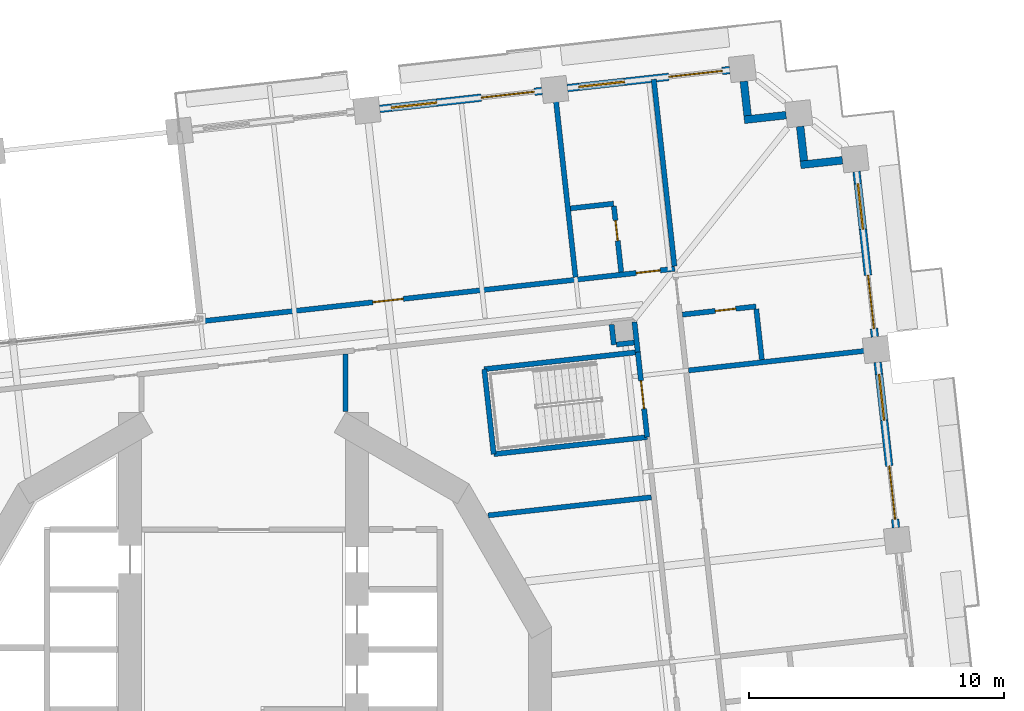
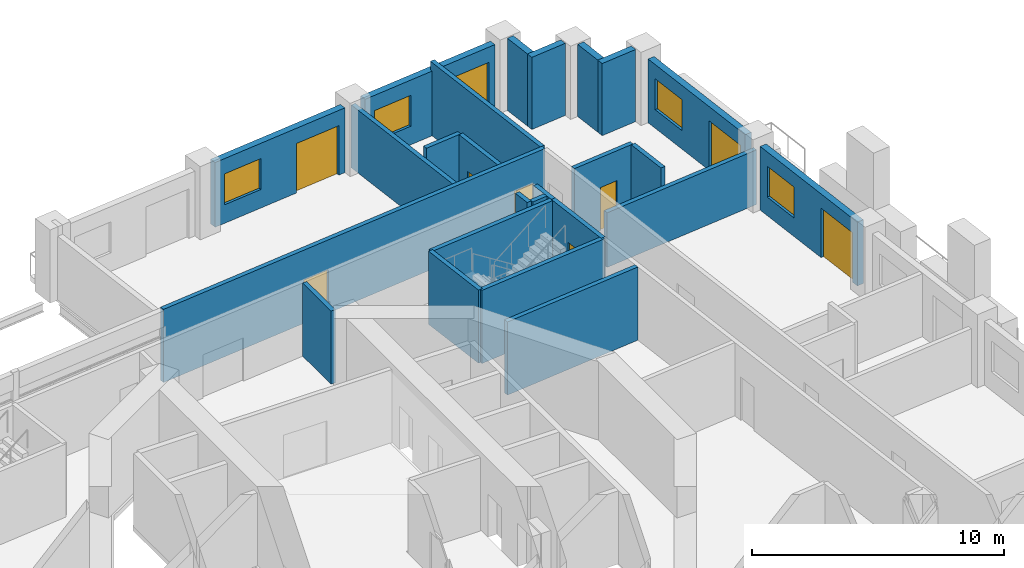
# One storey, part 12 of 21: 25 walls, 9 doors, 4 windows, 13 openings.
"""IFC4 building model written with IfcOpenShell, lengths in metres."""

import ifcopenshell
import ifcopenshell.guid

model = None  # the IFC model being written
_history = None  # IfcOwnerHistory: only IFC2X3 demands one
_inside = {}  # id of a spatial element -> (the spatial element, [elements in it])
_under = {}  # id of a project, library or spatial element -> (it, [spatial elements below it])
_declared = {}  # id of a project -> (the project, [libraries it declares])
_typed = {}  # id of a type object -> (the type object, [elements of that type])
_made_of = {}  # id of a material, layer set ... -> (it, [elements and type objects made of it])


def new_model(schema):
    """Start an empty IFC model of exactly this schema.

    Asked for "IFC4X3", IfcOpenShell would pick the latest addendum, in which some entities
    have other attributes; the version numbers below select the first issue.
    IFC2X3 requires an IfcOwnerHistory on every rooted entity: one is made here for all.
    """
    global model, _history
    if schema == "IFC4X3":
        model = ifcopenshell.file(schema_version=(4, 3, 0, 0))
    else:
        model = ifcopenshell.file(schema=schema)
    _inside.clear()
    _under.clear()
    _declared.clear()
    _typed.clear()
    _made_of.clear()
    _history = None
    if model.schema == "IFC2X3":
        org = make("IfcOrganization", Name="unknown")
        user = make(
            "IfcPersonAndOrganization",
            ThePerson=make("IfcPerson", FamilyName="unknown"),
            TheOrganization=org,
        )
        app = make(
            "IfcApplication",
            ApplicationDeveloper=org,
            Version="unknown",
            ApplicationFullName="unknown",
            ApplicationIdentifier="unknown",
        )
        _history = make(
            "IfcOwnerHistory",
            OwningUser=user,
            OwningApplication=app,
            ChangeAction="ADDED",
            CreationDate=0,
        )
    return model


def make(cls, **values):
    """One entity of the class cls with the attributes given. An attribute that is None is left unset."""
    return model.create_entity(
        cls, **{name: value for name, value in values.items() if value is not None}
    )


def rooted(cls, **values):
    """An entity with a GlobalId (a new one), such as an element, a storey or a relation."""
    return make(cls, GlobalId=ifcopenshell.guid.new(), OwnerHistory=_history, **values)


def si_unit(unit_type, name, prefix=None):
    """IfcSIUnit, for example si_unit("LENGTHUNIT", "METRE", prefix="MILLI")."""
    return make("IfcSIUnit", UnitType=unit_type, Prefix=prefix, Name=name)


def assignment(units):
    """IfcUnitAssignment: the units of a project."""
    return None if units is None else make("IfcUnitAssignment", Units=units)


def point(xyz):
    """IfcCartesianPoint."""
    return None if xyz is None else make("IfcCartesianPoint", Coordinates=xyz)


def direction(xyz):
    """IfcDirection."""
    return None if xyz is None else make("IfcDirection", DirectionRatios=xyz)


def frame(location, z_axis=None, x_axis=None):
    """IfcAxis2Placement3D, a coordinate frame: its origin and axes. An axis left out is left unset."""
    return make(
        "IfcAxis2Placement3D",
        Location=point(location),
        Axis=direction(z_axis),
        RefDirection=direction(x_axis),
    )


def frame_2d(location, x_axis=None):
    """IfcAxis2Placement2D, a coordinate frame in the plane: its origin and x axis."""
    return make(
        "IfcAxis2Placement2D", Location=point(location), RefDirection=direction(x_axis)
    )


def origin():
    """The frame at (0, 0, 0) with its axes left unset."""
    return frame((0.0, 0.0, 0.0))


def place(relative_to, where):
    """IfcLocalPlacement: puts the frame where relative to a parent placement (None: the world)."""
    return make(
        "IfcLocalPlacement", PlacementRelTo=relative_to, RelativePlacement=where
    )


def context(
    kind, dimensions, precision=None, world=None, true_north=None, identifier=None
):
    """IfcGeometricRepresentationContext, for example the 3D "Model" context."""
    return make(
        "IfcGeometricRepresentationContext",
        ContextIdentifier=identifier,
        ContextType=kind,
        CoordinateSpaceDimension=dimensions,
        Precision=precision,
        WorldCoordinateSystem=world,
        TrueNorth=true_north,
    )


def subcontext(parent, identifier, kind, view, scale=None):
    """IfcGeometricRepresentationSubContext, for example "Body" below "Model"."""
    return make(
        "IfcGeometricRepresentationSubContext",
        ContextIdentifier=identifier,
        ContextType=kind,
        ParentContext=parent,
        TargetScale=scale,
        TargetView=view,
    )


def project(units=None, contexts=None):
    """IfcProject with its units and contexts."""
    return rooted(
        "IfcProject",
        Name="project",
        RepresentationContexts=contexts,
        UnitsInContext=assignment(units),
    )


def spatial(cls, under=None, at=None, **own):
    """A site, building, storey or space (cls), placed at a placement, below another one or the project."""
    s = rooted(cls, ObjectPlacement=at, **own)
    if under is not None:
        _under.setdefault(under.id(), (under, []))[1].append(s)
    return s


def profile(cls, at=None, kind="AREA", **sizes):
    """A parametric profile (cls). Its sizes go by their IFC names, for example OverallWidth=200.0."""
    return make(cls, ProfileType=kind, Position=at, **sizes)


def rectangle(**sizes):
    """IfcRectangleProfileDef."""
    return profile("IfcRectangleProfileDef", **sizes)


def extrude(swept, where, along, depth):
    """IfcExtrudedAreaSolid: the profile swept, set in the frame where, extruded along a direction by depth."""
    return make(
        "IfcExtrudedAreaSolid",
        SweptArea=swept,
        Position=where,
        ExtrudedDirection=direction(along),
        Depth=depth,
    )


def shape(context_of_items, identifier, shape_type, items):
    """IfcShapeRepresentation: the items that make up one representation, for example the "Body"."""
    return make(
        "IfcShapeRepresentation",
        ContextOfItems=context_of_items,
        RepresentationIdentifier=identifier,
        RepresentationType=shape_type,
        Items=items,
    )


def material(Name=None, Category=None):
    """IfcMaterial."""
    return make("IfcMaterial", Name=Name, Category=Category)


def layer(
    of_material, thickness, ventilated=None, Name=None, Category=None, Priority=None
):
    """IfcMaterialLayer: one layer of a wall or slab, of a material (None: an air gap)."""
    return make(
        "IfcMaterialLayer",
        Material=of_material,
        LayerThickness=thickness,
        IsVentilated=ventilated,
        Name=Name,
        Category=Category,
        Priority=Priority,
    )


def layer_set(layers, Name=None):
    """IfcMaterialLayerSet."""
    return make("IfcMaterialLayerSet", MaterialLayers=layers, LayerSetName=Name)


def made_of(thing, what):
    """Note that an element or type object is made of a material, layer set ...; save() writes the relation."""
    if what is not None:
        _made_of.setdefault(what.id(), (what, []))[1].append(thing)
    return thing


def type_object(cls, material=None, **own):
    """A type object (cls), such as IfcWallType, which elements share."""
    return made_of(rooted(cls, **own), material)


def element(
    cls,
    number,
    at=None,
    inside=None,
    cuts=None,
    type_object=None,
    material=None,
    context=None,
    identifier="Body",
    shape_type=None,
    held_by="IfcProductDefinitionShape",
    body=None,
    shapes=None,
    **own,
):
    """One element of the class cls, such as IfcWall. Its Tag is "e" and its number.

    at: its placement. inside: the storey or other place that contains it. cuts: it is an
    opening in that element (IfcRelVoidsElement). A single representation is given by context,
    identifier, shape_type and body (its items); several are given by shapes. held_by: the class
    of the entity that holds the representations. save() writes the other relations.
    """
    e = rooted(cls, Tag="e%d" % number, ObjectPlacement=at, **own)
    if body is not None:
        shapes = [shape(context, identifier, shape_type, body)]
    if shapes is not None:
        e.Representation = make(held_by, Representations=shapes)
    if inside is not None:
        _inside.setdefault(inside.id(), (inside, []))[1].append(e)
    if cuts is not None:
        rooted(
            "IfcRelVoidsElement", RelatingBuildingElement=cuts, RelatedOpeningElement=e
        )
    if type_object is not None:
        _typed.setdefault(type_object.id(), (type_object, []))[1].append(e)
    return made_of(e, material)


def fill(opening, filler):
    """IfcRelFillsElement: the door or window that sits in an opening."""
    return rooted(
        "IfcRelFillsElement",
        RelatingOpeningElement=opening,
        RelatedBuildingElement=filler,
    )


def aggregate(whole, parts):
    """IfcRelAggregates: a whole, such as a stair, and the parts it consists of."""
    return rooted("IfcRelAggregates", RelatingObject=whole, RelatedObjects=parts)


def save(model, path):
    """Write the relations noted so far, then the file.

    IfcRelAggregates (storeys below a building ...), IfcRelContainedInSpatialStructure (elements
    in a storey), IfcRelDefinesByType, IfcRelAssociatesMaterial and IfcRelDeclares: one each for
    every whole, place, type object, material and project.
    """
    for whole, parts in _under.values():
        aggregate(whole, parts)
    for where, things in _inside.values():
        rooted(
            "IfcRelContainedInSpatialStructure",
            RelatedElements=things,
            RelatingStructure=where,
        )
    for kind, things in _typed.values():
        rooted("IfcRelDefinesByType", RelatedObjects=things, RelatingType=kind)
    for what, things in _made_of.values():
        rooted("IfcRelAssociatesMaterial", RelatedObjects=things, RelatingMaterial=what)
    for by, libraries in _declared.values():
        rooted("IfcRelDeclares", RelatingContext=by, RelatedDefinitions=libraries)
    model.write(path)


model = new_model("IFC4")

# Units and contexts
model_context = context("Model", 3, precision=1e-05, world=origin(), true_north=direction((0.0, 1.0)))
body_context = subcontext(model_context, "Body", "Model", "MODEL_VIEW")
ifc_project = project(units=[si_unit("LENGTHUNIT", "METRE"), si_unit("AREAUNIT", "SQUARE_METRE"), si_unit("VOLUMEUNIT", "CUBIC_METRE"), si_unit("PLANEANGLEUNIT", "RADIAN"), si_unit("MASSUNIT", "GRAM", prefix="KILO")], contexts=[model_context])

# Site, building, storey
site_placement = place(None, origin())
site = spatial("IfcSite", under=ifc_project, at=site_placement, CompositionType="ELEMENT")
building_placement = place(site_placement, origin())
building = spatial("IfcBuilding", under=site, at=building_placement, Name="Cantera Rosa Tower", CompositionType="ELEMENT")
storey_placement = place(building_placement, frame((0.0, 0.0, 57.699951171875)))
storey = spatial("IfcBuildingStorey", under=building, at=storey_placement, Name="L11", CompositionType="ELEMENT", Elevation=57.699951171875)

# Walls
ifc_material_1 = material(Name="Gypsum board partition")
ifc_layer_1 = layer(ifc_material_1, 0.199951171875)
ifc_layer_set_1 = layer_set([ifc_layer_1], Name="CORRIDOR WALL 200 H3550")
wall_type_1 = type_object("IfcWallType", Name="CORRIDOR WALL 200 H3550", PredefinedType="PARTITIONING", material=ifc_layer_set_1)
wall_1_placement = place(storey_placement, frame((4.0, 11.667236328125, 0.0), z_axis=(0.0, 0.0, 1.0), x_axis=(0.0, 1.0, 0.0)))
element("IfcWall", 1, at=wall_1_placement, inside=storey, type_object=wall_type_1, Name="CORRIDOR WALL L11-060", PredefinedType="PARTITIONING", context=body_context, shape_type="SweptSolid", body=[
    extrude(rectangle(XDim=2.259765625, YDim=0.199951171875, at=frame_2d((1.1298828125, 0.0))), origin(), (0.0, 0.0, 1.0), 3.550048828125),
])
wall_2_placement = place(storey_placement, frame((15.44970703125, 14.001708984375, 0.0), z_axis=(0.0, 0.0, 1.0), x_axis=(-0.110341316069, 0.993893753863, 0.0)))
element("IfcWall", 2, at=wall_2_placement, inside=storey, type_object=wall_type_1, Name="CORRIDOR WALL L11-088", PredefinedType="PARTITIONING", context=body_context, shape_type="SweptSolid", body=[
    extrude(rectangle(XDim=1.188232421875, YDim=0.199951171875, at=frame_2d((0.59423828125, 0.0))), origin(), (0.0, 0.0, 1.0), 3.550048828125),
])

# Wall, openings, doors
wall_3_placement = place(storey_placement, frame((16.898193359375, 17.26953125, 0.0), z_axis=(0.0, 0.0, 1.0), x_axis=(-0.993896854699, -0.110313381866, 0.0)))
wall_3 = element("IfcWall", 3, at=wall_3_placement, inside=storey, type_object=wall_type_1, Name="CORRIDOR WALL L11-092", PredefinedType="PARTITIONING", context=body_context, shape_type="SweptSolid", body=[
    extrude(rectangle(XDim=18.8251953125, YDim=0.199951171875, at=frame_2d((9.41259765625, 0.0))), origin(), (0.0, 0.0, 1.0), 3.550048828125),
])
opening_1_placement = place(wall_3_placement, frame((10.699951171875, 0.0, 0.0)))
opening_1 = element("IfcOpeningElement", 4, at=opening_1_placement, cuts=wall_3, Name="Opening L11-025", PredefinedType="OPENING", context=body_context, shape_type="SweptSolid", body=[
    extrude(rectangle(XDim=1.199951171875, YDim=2.10009765625, at=frame_2d((0.60009765625, 1.050048828125))), frame((0.0, 0.10986328125, 0.0), z_axis=(0.0, -1.0, 0.0), x_axis=(1.0, 0.0, 0.0)), (0.0, 0.0, 1.0), 0.219970703125),
])
opening_2_placement = place(wall_3_placement, frame((0.574951171875, 0.0, 0.0)))
opening_2 = element("IfcOpeningElement", 5, at=opening_2_placement, cuts=wall_3, Name="Opening L11-026", PredefinedType="OPENING", context=body_context, shape_type="SweptSolid", body=[
    extrude(rectangle(XDim=0.949951171875, YDim=2.10009765625, at=frame_2d((0.47509765625, 1.050048828125))), frame((0.0, 0.10986328125, 0.0), z_axis=(0.0, -1.0, 0.0), x_axis=(1.0, 0.0, 0.0)), (0.0, 0.0, 1.0), 0.219970703125),
])
ifc_material_2 = material(Name="Timber door leaf", Category="wood")
door_type_1 = type_object("IfcDoorType", Name="ROOM DOOR 1200x2100", OperationType="NOTDEFINED", PredefinedType="DOOR", material=ifc_material_2)
door_1_placement = place(opening_1_placement, origin())
door_1 = element("IfcDoor", 6, at=door_1_placement, inside=storey, type_object=door_type_1, Name="DOOR L11-025", OperationType="NOTDEFINED", OverallHeight=2.10009765625, OverallWidth=1.199951171875, PredefinedType="DOOR", context=body_context, shape_type="SweptSolid", body=[
    extrude(rectangle(XDim=1.199951171875, YDim=2.10009765625, at=frame_2d((0.60009765625, 1.050048828125))), frame((0.0, 0.02490234375, 0.0), z_axis=(0.0, -1.0, 0.0), x_axis=(1.0, 0.0, 0.0)), (0.0, 0.0, 1.0), 0.050048828125),
])
fill(opening_1, door_1)
ifc_material_3 = material(Name="Timber door leaf", Category="wood")
door_type_2 = type_object("IfcDoorType", Name="ROOM DOOR 950x2100", OperationType="NOTDEFINED", PredefinedType="DOOR", material=ifc_material_3)
door_2_placement = place(opening_2_placement, origin())
door_2 = element("IfcDoor", 7, at=door_2_placement, inside=storey, type_object=door_type_2, Name="DOOR L11-026", OperationType="NOTDEFINED", OverallHeight=2.10009765625, OverallWidth=0.949951171875, PredefinedType="DOOR", context=body_context, shape_type="SweptSolid", body=[
    extrude(rectangle(XDim=0.949951171875, YDim=2.10009765625, at=frame_2d((0.47509765625, 1.050048828125))), frame((0.0, 0.02490234375, 0.0), z_axis=(0.0, -1.0, 0.0), x_axis=(1.0, 0.0, 0.0)), (0.0, 0.0, 1.0), 0.050048828125),
])
fill(opening_2, door_2)

# Walls
ifc_material_4 = material(Name="Hollow clay masonry with cantera stone cladding", Category="masonry")
ifc_layer_2 = layer(ifc_material_4, 0.300048828125)
ifc_layer_set_2 = layer_set([ifc_layer_2], Name="EW-LOGGIA 300")
wall_type_2 = type_object("IfcWallType", Name="EW-LOGGIA 300", PredefinedType="SOLIDWALL", material=ifc_layer_set_2)
wall_4_placement = place(storey_placement, frame((23.46923828125, 21.520263671875, 0.0), z_axis=(0.0, 0.0, 1.0), x_axis=(-0.993905369514, -0.110236638423, 0.0)))
element("IfcWall", 8, at=wall_4_placement, inside=storey, type_object=wall_type_2, Name="EN-L11-W06a", PredefinedType="SOLIDWALL", context=body_context, shape_type="SweptSolid", body=[
    extrude(rectangle(XDim=1.64990234375, YDim=0.300048828125, at=frame_2d((0.824951171875, 0.0))), origin(), (0.0, 0.0, 1.0), 3.5),
])
wall_5_placement = place(storey_placement, frame((21.9619140625, 21.50390625, 0.0), z_axis=(0.0, 0.0, 1.0), x_axis=(-0.110312435488, 0.993896959738, 0.0)))
element("IfcWall", 9, at=wall_5_placement, inside=storey, type_object=wall_type_2, Name="EN-L11-W06b", PredefinedType="SOLIDWALL", context=body_context, shape_type="SweptSolid", body=[
    extrude(rectangle(XDim=1.35009765625, YDim=0.300048828125, at=frame_2d((0.675048828125, 0.0))), origin(), (0.0, 0.0, 1.0), 3.5),
])
wall_6_placement = place(storey_placement, frame((21.2607421875, 23.287353515625, 0.0), z_axis=(0.0, 0.0, 1.0), x_axis=(-0.993905369514, -0.110236638423, 0.0)))
element("IfcWall", 10, at=wall_6_placement, inside=storey, type_object=wall_type_2, Name="EN-L11-W07a", PredefinedType="SOLIDWALL", context=body_context, shape_type="SweptSolid", body=[
    extrude(rectangle(XDim=1.64990234375, YDim=0.300048828125, at=frame_2d((0.824951171875, 0.0))), origin(), (0.0, 0.0, 1.0), 3.5),
])
wall_7_placement = place(storey_placement, frame((19.75341796875, 23.27099609375, 0.0), z_axis=(0.0, 0.0, 1.0), x_axis=(-0.110312435488, 0.993896959738, 0.0)))
element("IfcWall", 11, at=wall_7_placement, inside=storey, type_object=wall_type_2, Name="EN-L11-W07b", PredefinedType="SOLIDWALL", context=body_context, shape_type="SweptSolid", body=[
    extrude(rectangle(XDim=1.35009765625, YDim=0.300048828125, at=frame_2d((0.675048828125, 0.0))), origin(), (0.0, 0.0, 1.0), 3.5),
])

# Wall, openings, window, door
ifc_material_5 = material(Name="Hollow clay masonry with cantera stone cladding", Category="masonry")
ifc_layer_3 = layer(ifc_material_5, 0.300048828125)
ifc_layer_set_3 = layer_set([ifc_layer_3], Name="EW-LOGGIA 300 H3090")
wall_type_3 = type_object("IfcWallType", Name="EW-LOGGIA 300 H3090", PredefinedType="SOLIDWALL", material=ifc_layer_set_3)
wall_8_placement = place(storey_placement, frame((25.570068359375, 7.124267578125, 0.0), z_axis=(0.0, 0.0, 1.0), x_axis=(-0.110312341265, 0.993896970196, 0.0)))
wall_8 = element("IfcWall", 12, at=wall_8_placement, inside=storey, type_object=wall_type_3, Name="EN-L11-W04", PredefinedType="SOLIDWALL", context=body_context, shape_type="SweptSolid", body=[
    extrude(rectangle(XDim=6.52001953125, YDim=0.300048828125, at=frame_2d((3.260009765625, 0.0))), origin(), (0.0, 0.0, 1.0), 3.090087890625),
])
opening_3_placement = place(wall_8_placement, frame((0.330078125, 0.0, 0.0)))
opening_3 = element("IfcOpeningElement", 13, at=opening_3_placement, cuts=wall_8, Name="Opening L11-TD07", PredefinedType="OPENING", context=body_context, shape_type="SweptSolid", body=[
    extrude(rectangle(XDim=2.10009765625, YDim=2.39990234375, at=frame_2d((1.050048828125, 1.199951171875))), frame((0.0, 0.159912109375, 0.0), z_axis=(0.0, -1.0, 0.0), x_axis=(1.0, 0.0, 0.0)), (0.0, 0.0, 1.0), 0.320068359375),
])
opening_4_placement = place(wall_8_placement, frame((4.239990234375, 0.0, 0.89990234375)))
opening_4 = element("IfcOpeningElement", 14, at=opening_4_placement, cuts=wall_8, Name="Opening L11-W08", PredefinedType="OPENING", context=body_context, shape_type="SweptSolid", body=[
    extrude(rectangle(XDim=1.800048828125, YDim=1.5, at=frame_2d((0.89990234375, 0.75))), frame((0.0, 0.159912109375, 0.0), z_axis=(0.0, -1.0, 0.0), x_axis=(1.0, 0.0, 0.0)), (0.0, 0.0, 1.0), 0.320068359375),
])
ifc_material_6 = material(Name="Aluminium frame with clear glass", Category="aluminium")
window_type = type_object("IfcWindowType", Name="Hotel room window 1800x1500", PartitioningType="DOUBLE_PANEL_VERTICAL", PredefinedType="WINDOW", material=ifc_material_6)
window_1_placement = place(opening_4_placement, origin())
window_1 = element("IfcWindow", 15, at=window_1_placement, inside=storey, type_object=window_type, Name="WINDOW L11-W08", OverallHeight=1.5, OverallWidth=1.800048828125, PartitioningType="SINGLE_PANEL", PredefinedType="WINDOW", context=body_context, shape_type="SweptSolid", body=[
    extrude(rectangle(XDim=1.800048828125, YDim=1.5, at=frame_2d((0.89990234375, 0.75))), frame((0.0, 0.030029296875, 0.0), z_axis=(0.0, -1.0, 0.0), x_axis=(1.0, 0.0, 0.0)), (0.0, 0.0, 1.0), 0.06005859375),
])
fill(opening_4, window_1)
ifc_material_7 = material(Name="Aluminium frame with clear glass", Category="aluminium")
door_type_3 = type_object("IfcDoorType", Name="TD-H 2100x2400", OperationType="NOTDEFINED", PredefinedType="DOOR", material=ifc_material_7)
door_3_placement = place(opening_3_placement, origin())
door_3 = element("IfcDoor", 16, at=door_3_placement, inside=storey, type_object=door_type_3, Name="LOGGIA DOOR L11-TD07", OperationType="SLIDING_TO_LEFT", OverallHeight=2.39990234375, OverallWidth=2.10009765625, PredefinedType="DOOR", context=body_context, shape_type="SweptSolid", body=[
    extrude(rectangle(XDim=2.10009765625, YDim=2.39990234375, at=frame_2d((1.050048828125, 1.199951171875))), frame((0.0, 0.02490234375, 0.0), z_axis=(0.0, -1.0, 0.0), x_axis=(1.0, 0.0, 0.0)), (0.0, 0.0, 1.0), 0.050048828125),
])
fill(opening_3, door_3)

wall_9_placement = place(storey_placement, frame((24.74072265625, 14.598388671875, 0.0), z_axis=(0.0, 0.0, 1.0), x_axis=(-0.110312341265, 0.993896970196, 0.0)))
wall_9 = element("IfcWall", 17, at=wall_9_placement, inside=storey, type_object=wall_type_3, Name="EN-L11-W05", PredefinedType="SOLIDWALL", context=body_context, shape_type="SweptSolid", body=[
    extrude(rectangle(XDim=6.52001953125, YDim=0.300048828125, at=frame_2d((3.260009765625, 0.0))), origin(), (0.0, 0.0, 1.0), 3.090087890625),
])
opening_5_placement = place(wall_9_placement, frame((0.330078125, 0.0, 0.0)))
opening_5 = element("IfcOpeningElement", 18, at=opening_5_placement, cuts=wall_9, Name="Opening L11-TD09", PredefinedType="OPENING", context=body_context, shape_type="SweptSolid", body=[
    extrude(rectangle(XDim=2.10009765625, YDim=2.39990234375, at=frame_2d((1.050048828125, 1.199951171875))), frame((0.0, 0.159912109375, 0.0), z_axis=(0.0, -1.0, 0.0), x_axis=(1.0, 0.0, 0.0)), (0.0, 0.0, 1.0), 0.320068359375),
])
opening_6_placement = place(wall_9_placement, frame((4.239990234375, 0.0, 0.89990234375)))
opening_6 = element("IfcOpeningElement", 19, at=opening_6_placement, cuts=wall_9, Name="Opening L11-W10", PredefinedType="OPENING", context=body_context, shape_type="SweptSolid", body=[
    extrude(rectangle(XDim=1.800048828125, YDim=1.5, at=frame_2d((0.89990234375, 0.75))), frame((0.0, 0.159912109375, 0.0), z_axis=(0.0, -1.0, 0.0), x_axis=(1.0, 0.0, 0.0)), (0.0, 0.0, 1.0), 0.320068359375),
])
window_2_placement = place(opening_6_placement, origin())
window_2 = element("IfcWindow", 20, at=window_2_placement, inside=storey, type_object=window_type, Name="WINDOW L11-W10", OverallHeight=1.5, OverallWidth=1.800048828125, PartitioningType="SINGLE_PANEL", PredefinedType="WINDOW", context=body_context, shape_type="SweptSolid", body=[
    extrude(rectangle(XDim=1.800048828125, YDim=1.5, at=frame_2d((0.89990234375, 0.75))), frame((0.0, 0.030029296875, 0.0), z_axis=(0.0, -1.0, 0.0), x_axis=(1.0, 0.0, 0.0)), (0.0, 0.0, 1.0), 0.06005859375),
])
fill(opening_6, window_2)
door_4_placement = place(opening_5_placement, origin())
door_4 = element("IfcDoor", 21, at=door_4_placement, inside=storey, type_object=door_type_3, Name="LOGGIA DOOR L11-TD09", OperationType="SLIDING_TO_LEFT", OverallHeight=2.39990234375, OverallWidth=2.10009765625, PredefinedType="DOOR", context=body_context, shape_type="SweptSolid", body=[
    extrude(rectangle(XDim=2.10009765625, YDim=2.39990234375, at=frame_2d((1.050048828125, 1.199951171875))), frame((0.0, 0.02490234375, 0.0), z_axis=(0.0, -1.0, 0.0), x_axis=(1.0, 0.0, 0.0)), (0.0, 0.0, 1.0), 0.050048828125),
])
fill(opening_5, door_4)

ifc_material_8 = material(Name="Hollow clay masonry with cantera stone cladding", Category="masonry")
ifc_layer_4 = layer(ifc_material_8, 0.300048828125)
ifc_layer_set_4 = layer_set([ifc_layer_4], Name="EW-LOGGIA 300 H3140")
wall_type_4 = type_object("IfcWallType", Name="EW-LOGGIA 300 H3140", PredefinedType="SOLIDWALL", material=ifc_layer_set_4)
wall_10_placement = place(storey_placement, frame((19.052490234375, 25.0546875, 0.0), z_axis=(0.0, 0.0, 1.0), x_axis=(-0.993896288542, -0.110318482689, 0.0)))
wall_10 = element("IfcWall", 22, at=wall_10_placement, inside=storey, type_object=wall_type_4, Name="EN-L11-W08", PredefinedType="SOLIDWALL", context=body_context, shape_type="SweptSolid", body=[
    extrude(rectangle(XDim=6.400146484375, YDim=0.300048828125, at=frame_2d((3.2001953125, 0.0))), origin(), (0.0, 0.0, 1.0), 3.14013671875),
])
opening_7_placement = place(wall_10_placement, frame((0.300048828125, 0.0, 0.0)))
opening_7 = element("IfcOpeningElement", 23, at=opening_7_placement, cuts=wall_10, Name="Opening L11-TD11", PredefinedType="OPENING", context=body_context, shape_type="SweptSolid", body=[
    extrude(rectangle(XDim=2.10009765625, YDim=2.39990234375, at=frame_2d((1.050048828125, 1.199951171875))), frame((0.0, 0.159912109375, 0.0), z_axis=(0.0, -1.0, 0.0), x_axis=(1.0, 0.0, 0.0)), (0.0, 0.0, 1.0), 0.320068359375),
])
opening_8_placement = place(wall_10_placement, frame((4.14990234375, 0.0, 0.89990234375)))
opening_8 = element("IfcOpeningElement", 24, at=opening_8_placement, cuts=wall_10, Name="Opening L11-W12", PredefinedType="OPENING", context=body_context, shape_type="SweptSolid", body=[
    extrude(rectangle(XDim=1.800048828125, YDim=1.5, at=frame_2d((0.89990234375, 0.75))), frame((0.0, 0.159912109375, 0.0), z_axis=(0.0, -1.0, 0.0), x_axis=(1.0, 0.0, 0.0)), (0.0, 0.0, 1.0), 0.320068359375),
])
window_3_placement = place(opening_8_placement, origin())
window_3 = element("IfcWindow", 25, at=window_3_placement, inside=storey, type_object=window_type, Name="WINDOW L11-W12", OverallHeight=1.5, OverallWidth=1.800048828125, PartitioningType="SINGLE_PANEL", PredefinedType="WINDOW", context=body_context, shape_type="SweptSolid", body=[
    extrude(rectangle(XDim=1.800048828125, YDim=1.5, at=frame_2d((0.89990234375, 0.75))), frame((0.0, 0.030029296875, 0.0), z_axis=(0.0, -1.0, 0.0), x_axis=(1.0, 0.0, 0.0)), (0.0, 0.0, 1.0), 0.06005859375),
])
fill(opening_8, window_3)
door_5_placement = place(opening_7_placement, origin())
door_5 = element("IfcDoor", 26, at=door_5_placement, inside=storey, type_object=door_type_3, Name="LOGGIA DOOR L11-TD11", OperationType="SLIDING_TO_LEFT", OverallHeight=2.39990234375, OverallWidth=2.10009765625, PredefinedType="DOOR", context=body_context, shape_type="SweptSolid", body=[
    extrude(rectangle(XDim=2.10009765625, YDim=2.39990234375, at=frame_2d((1.050048828125, 1.199951171875))), frame((0.0, 0.02490234375, 0.0), z_axis=(0.0, -1.0, 0.0), x_axis=(1.0, 0.0, 0.0)), (0.0, 0.0, 1.0), 0.050048828125),
])
fill(opening_7, door_5)

wall_11_placement = place(storey_placement, frame((11.697509765625, 24.23828125, 0.0), z_axis=(0.0, 0.0, 1.0), x_axis=(-0.993895824271, -0.110322665379, 0.0)))
wall_11 = element("IfcWall", 27, at=wall_11_placement, inside=storey, type_object=wall_type_4, Name="EN-L11-W09", PredefinedType="SOLIDWALL", context=body_context, shape_type="SweptSolid", body=[
    extrude(rectangle(XDim=6.39990234375, YDim=0.300048828125, at=frame_2d((3.199951171875, 0.0))), origin(), (0.0, 0.0, 1.0), 3.14013671875),
])
opening_9_placement = place(wall_11_placement, frame((0.300048828125, 0.0, 0.0)))
opening_9 = element("IfcOpeningElement", 28, at=opening_9_placement, cuts=wall_11, Name="Opening L11-TD13", PredefinedType="OPENING", context=body_context, shape_type="SweptSolid", body=[
    extrude(rectangle(XDim=2.10009765625, YDim=2.39990234375, at=frame_2d((1.050048828125, 1.199951171875))), frame((0.0, 0.159912109375, 0.0), z_axis=(0.0, -1.0, 0.0), x_axis=(1.0, 0.0, 0.0)), (0.0, 0.0, 1.0), 0.320068359375),
])
opening_10_placement = place(wall_11_placement, frame((4.14990234375, 0.0, 0.89990234375)))
opening_10 = element("IfcOpeningElement", 29, at=opening_10_placement, cuts=wall_11, Name="Opening L11-W14", PredefinedType="OPENING", context=body_context, shape_type="SweptSolid", body=[
    extrude(rectangle(XDim=1.800048828125, YDim=1.5, at=frame_2d((0.89990234375, 0.75))), frame((0.0, 0.159912109375, 0.0), z_axis=(0.0, -1.0, 0.0), x_axis=(1.0, 0.0, 0.0)), (0.0, 0.0, 1.0), 0.320068359375),
])
window_4_placement = place(opening_10_placement, origin())
window_4 = element("IfcWindow", 30, at=window_4_placement, inside=storey, type_object=window_type, Name="WINDOW L11-W14", OverallHeight=1.5, OverallWidth=1.800048828125, PartitioningType="SINGLE_PANEL", PredefinedType="WINDOW", context=body_context, shape_type="SweptSolid", body=[
    extrude(rectangle(XDim=1.800048828125, YDim=1.5, at=frame_2d((0.89990234375, 0.75))), frame((0.0, 0.030029296875, 0.0), z_axis=(0.0, -1.0, 0.0), x_axis=(1.0, 0.0, 0.0)), (0.0, 0.0, 1.0), 0.06005859375),
])
fill(opening_10, window_4)
door_6_placement = place(opening_9_placement, origin())
door_6 = element("IfcDoor", 31, at=door_6_placement, inside=storey, type_object=door_type_3, Name="LOGGIA DOOR L11-TD13", OperationType="SLIDING_TO_LEFT", OverallHeight=2.39990234375, OverallWidth=2.10009765625, PredefinedType="DOOR", context=body_context, shape_type="SweptSolid", body=[
    extrude(rectangle(XDim=2.10009765625, YDim=2.39990234375, at=frame_2d((1.050048828125, 1.199951171875))), frame((0.0, 0.02490234375, 0.0), z_axis=(0.0, -1.0, 0.0), x_axis=(1.0, 0.0, 0.0)), (0.0, 0.0, 1.0), 0.050048828125),
])
fill(opening_9, door_6)

# Walls
ifc_material_9 = material(Name="Gypsum board partition")
ifc_layer_5 = layer(ifc_material_9, 0.199951171875)
ifc_layer_set_5 = layer_set([ifc_layer_5], Name="PARTITION 200 H3550")
wall_type_5 = type_object("IfcWallType", Name="PARTITION 200 H3550", PredefinedType="PARTITIONING", material=ifc_layer_set_5)
wall_12_placement = place(storey_placement, frame((9.58642578125, 7.60400390625, 0.0), z_axis=(0.0, 0.0, 1.0), x_axis=(0.993896223863, 0.110319065398, 0.0)))
element("IfcWall", 32, at=wall_12_placement, inside=storey, type_object=wall_type_5, Name="PARTITION L11-072", PredefinedType="PARTITIONING", context=body_context, shape_type="SweptSolid", body=[
    extrude(rectangle(XDim=6.433349609375, YDim=0.199951171875, at=frame_2d((3.216796875, 0.0))), origin(), (0.0, 0.0, 1.0), 3.550048828125),
])
wall_13_placement = place(storey_placement, frame((12.8125, 19.63330078125, 0.0), z_axis=(0.0, 0.0, 1.0), x_axis=(0.993897739047, 0.110305413813, 0.0)))
element("IfcWall", 33, at=wall_13_placement, inside=storey, type_object=wall_type_5, Name="PARTITION L11-075", PredefinedType="PARTITIONING", context=body_context, shape_type="SweptSolid", body=[
    extrude(rectangle(XDim=1.69970703125, YDim=0.199951171875, at=frame_2d((0.849853515625, 0.0))), origin(), (0.0, 0.0, 1.0), 3.550048828125),
])
wall_14_placement = place(storey_placement, frame((14.42431640625, 15.083251953125, 0.0), z_axis=(0.0, 0.0, 1.0), x_axis=(0.110163574714, -0.993913470482, 0.0)))
element("IfcWall", 34, at=wall_14_placement, inside=storey, type_object=wall_type_5, Name="PARTITION L11-078", PredefinedType="PARTITIONING", context=body_context, shape_type="SweptSolid", body=[
    extrude(rectangle(XDim=0.800048828125, YDim=0.199951171875, at=frame_2d((0.39990234375, 0.0))), origin(), (0.0, 0.0, 1.0), 3.550048828125),
])

# Wall, opening, door
wall_15_placement = place(storey_placement, frame((14.51318359375, 19.72119140625, 0.0), z_axis=(0.0, 0.0, 1.0), x_axis=(0.110246001939, -0.993904330938, 0.0)))
wall_15 = element("IfcWall", 35, at=wall_15_placement, inside=storey, type_object=wall_type_5, Name="PARTITION L11-079", PredefinedType="PARTITIONING", context=body_context, shape_type="SweptSolid", body=[
    extrude(rectangle(XDim=2.599853515625, YDim=0.199951171875, at=frame_2d((1.2998046875, 0.0))), origin(), (0.0, 0.0, 1.0), 3.550048828125),
])
opening_11_placement = place(wall_15_placement, frame((0.56396484375, 0.0, 0.0)))
opening_11 = element("IfcOpeningElement", 36, at=opening_11_placement, cuts=wall_15, Name="Opening L11-027", PredefinedType="OPENING", context=body_context, shape_type="SweptSolid", body=[
    extrude(rectangle(XDim=0.800048828125, YDim=2.10009765625, at=frame_2d((0.39990234375, 1.050048828125))), frame((0.0, 0.10986328125, 0.0), z_axis=(0.0, -1.0, 0.0), x_axis=(1.0, 0.0, 0.0)), (0.0, 0.0, 1.0), 0.219970703125),
])
ifc_material_10 = material(Name="Timber door leaf", Category="wood")
door_type_4 = type_object("IfcDoorType", Name="BATHROOM DOOR 800x2100", OperationType="NOTDEFINED", PredefinedType="DOOR", material=ifc_material_10)
door_7_placement = place(opening_11_placement, origin())
door_7 = element("IfcDoor", 37, at=door_7_placement, inside=storey, type_object=door_type_4, Name="DOOR L11-027", OperationType="NOTDEFINED", OverallHeight=2.10009765625, OverallWidth=0.800048828125, PredefinedType="DOOR", context=body_context, shape_type="SweptSolid", body=[
    extrude(rectangle(XDim=0.800048828125, YDim=2.10009765625, at=frame_2d((0.39990234375, 1.050048828125))), frame((0.0, 0.02490234375, 0.0), z_axis=(0.0, -1.0, 0.0), x_axis=(1.0, 0.0, 0.0)), (0.0, 0.0, 1.0), 0.050048828125),
])
fill(opening_11, door_7)

# Wall
wall_16_placement = place(storey_placement, frame((14.61181640625, 14.299072265625, 0.0), z_axis=(0.0, 0.0, 1.0), x_axis=(0.993870969748, 0.110546349969, 0.0)))
element("IfcWall", 38, at=wall_16_placement, inside=storey, type_object=wall_type_5, Name="PARTITION L11-081", PredefinedType="PARTITIONING", context=body_context, shape_type="SweptSolid", body=[
    extrude(rectangle(XDim=0.7001953125, YDim=0.199951171875, at=frame_2d((0.35009765625, 0.0))), origin(), (0.0, 0.0, 1.0), 3.550048828125),
])

# Wall, opening, door
wall_17_placement = place(storey_placement, frame((17.1982421875, 15.4716796875, 0.0), z_axis=(0.0, 0.0, 1.0), x_axis=(0.993900150219, 0.110283685989, 0.0)))
wall_17 = element("IfcWall", 39, at=wall_17_placement, inside=storey, type_object=wall_type_5, Name="PARTITION L11-096", PredefinedType="PARTITIONING", context=body_context, shape_type="SweptSolid", body=[
    extrude(rectangle(XDim=2.89990234375, YDim=0.199951171875, at=frame_2d((1.449951171875, 0.0))), origin(), (0.0, 0.0, 1.0), 3.550048828125),
])
opening_12_placement = place(wall_17_placement, frame((1.300048828125, 0.0, 0.0)))
opening_12 = element("IfcOpeningElement", 40, at=opening_12_placement, cuts=wall_17, Name="Opening L11-024", PredefinedType="OPENING", context=body_context, shape_type="SweptSolid", body=[
    extrude(rectangle(XDim=0.800048828125, YDim=2.10009765625, at=frame_2d((0.39990234375, 1.050048828125))), frame((0.0, 0.10986328125, 0.0), z_axis=(0.0, -1.0, 0.0), x_axis=(1.0, 0.0, 0.0)), (0.0, 0.0, 1.0), 0.219970703125),
])
door_8_placement = place(opening_12_placement, origin())
door_8 = element("IfcDoor", 41, at=door_8_placement, inside=storey, type_object=door_type_4, Name="DOOR L11-024", OperationType="NOTDEFINED", OverallHeight=2.10009765625, OverallWidth=0.800048828125, PredefinedType="DOOR", context=body_context, shape_type="SweptSolid", body=[
    extrude(rectangle(XDim=0.800048828125, YDim=2.10009765625, at=frame_2d((0.39990234375, 1.050048828125))), frame((0.0, 0.02490234375, 0.0), z_axis=(0.0, -1.0, 0.0), x_axis=(1.0, 0.0, 0.0)), (0.0, 0.0, 1.0), 0.050048828125),
])
fill(opening_12, door_8)

# Walls
wall_18_placement = place(storey_placement, frame((20.091552734375, 15.692138671875, 0.0), z_axis=(0.0, 0.0, 1.0), x_axis=(0.110351138256, -0.993892663362, 0.0)))
element("IfcWall", 42, at=wall_18_placement, inside=storey, type_object=wall_type_5, Name="PARTITION L11-104", PredefinedType="PARTITIONING", context=body_context, shape_type="SweptSolid", body=[
    extrude(rectangle(XDim=2.0, YDim=0.199951171875, at=frame_2d((1.0, 0.0))), origin(), (0.0, 0.0, 1.0), 3.550048828125),
])
ifc_material_11 = material(Name="Gypsum board partition")
ifc_layer_6 = layer(ifc_material_11, 0.199951171875)
ifc_layer_set_6 = layer_set([ifc_layer_6], Name="PARTY WALL 200 H2650")
wall_type_6 = type_object("IfcWallType", Name="PARTY WALL 200 H2650", PredefinedType="PARTITIONING", material=ifc_layer_set_6)
wall_19_placement = place(storey_placement, frame((17.44091796875, 13.284912109375, 0.0), z_axis=(0.0, 0.0, 1.0), x_axis=(0.993897461949, 0.110307910555, 0.0)))
element("IfcWall", 43, at=wall_19_placement, inside=storey, type_object=wall_type_6, Name="PARTY WALL L11-098", PredefinedType="PARTITIONING", context=body_context, shape_type="SweptSolid", body=[
    extrude(rectangle(XDim=7.3701171875, YDim=0.199951171875, at=frame_2d((3.68505859375, 0.0))), origin(), (0.0, 0.0, 1.0), 2.650146484375),
])
ifc_material_12 = material(Name="Gypsum board partition")
ifc_layer_7 = layer(ifc_material_12, 0.199951171875)
ifc_layer_set_7 = layer_set([ifc_layer_7], Name="PARTY WALL 200 H3050")
wall_type_7 = type_object("IfcWallType", Name="PARTY WALL 200 H3050", PredefinedType="PARTITIONING", material=ifc_layer_set_7)
wall_20_placement = place(storey_placement, frame((13.010986328125, 16.938720703125, 0.0), z_axis=(0.0, 0.0, 1.0), x_axis=(-0.11031154238, 0.993897058864, 0.0)))
element("IfcWall", 44, at=wall_20_placement, inside=storey, type_object=wall_type_7, Name="PARTY WALL L11-077", PredefinedType="PARTITIONING", context=body_context, shape_type="SweptSolid", body=[
    extrude(rectangle(XDim=7.369873046875, YDim=0.199951171875, at=frame_2d((3.68505859375, 0.0))), origin(), (0.0, 0.0, 1.0), 3.050048828125),
])
ifc_material_13 = material(Name="Gypsum board partition")
ifc_layer_8 = layer(ifc_material_13, 0.199951171875)
ifc_layer_set_8 = layer_set([ifc_layer_8], Name="PARTY WALL 200 H3550")
wall_type_8 = type_object("IfcWallType", Name="PARTY WALL 200 H3550", PredefinedType="PARTITIONING", material=ifc_layer_set_8)
wall_21_placement = place(storey_placement, frame((16.88720703125, 17.368896484375, 0.0), z_axis=(0.0, 0.0, 1.0), x_axis=(-0.11031154238, 0.993897058864, 0.0)))
element("IfcWall", 45, at=wall_21_placement, inside=storey, type_object=wall_type_8, Name="PARTY WALL L11-095", PredefinedType="PARTITIONING", context=body_context, shape_type="SweptSolid", body=[
    extrude(rectangle(XDim=7.369873046875, YDim=0.199951171875, at=frame_2d((3.68505859375, 0.0))), origin(), (0.0, 0.0, 1.0), 3.550048828125),
])
ifc_material_14 = material(Name="Concrete C50/60", Category="concrete")
ifc_layer_9 = layer(ifc_material_14, 0.199951171875)
ifc_layer_set_9 = layer_set([ifc_layer_9], Name="STAIR WALL 200 H3550")
wall_type_9 = type_object("IfcWallType", Name="STAIR WALL 200 H3550", PredefinedType="SOLIDWALL", material=ifc_layer_set_9)
wall_22_placement = place(storey_placement, frame((9.43359375, 13.333740234375, 0.0), z_axis=(0.0, 0.0, 1.0), x_axis=(0.11027153821, -0.993901498067, 0.0)))
element("IfcWall", 46, at=wall_22_placement, inside=storey, type_object=wall_type_9, Name="STAIR WALL L11-071", PredefinedType="SOLIDWALL", context=body_context, shape_type="SweptSolid", body=[
    extrude(rectangle(XDim=3.349853515625, YDim=0.199951171875, at=frame_2d((1.6748046875, 0.0))), origin(), (0.0, 0.0, 1.0), 3.550048828125),
])
wall_23_placement = place(storey_placement, frame((9.802978515625, 10.00439453125, 0.0), z_axis=(0.0, 0.0, 1.0), x_axis=(0.993897498792, 0.11030757859, 0.0)))
element("IfcWall", 47, at=wall_23_placement, inside=storey, type_object=wall_type_9, Name="STAIR WALL L11-073", PredefinedType="SOLIDWALL", context=body_context, shape_type="SweptSolid", body=[
    extrude(rectangle(XDim=6.05322265625, YDim=0.199951171875, at=frame_2d((3.026611328125, 0.0))), origin(), (0.0, 0.0, 1.0), 3.550048828125),
])
wall_24_placement = place(storey_placement, frame((15.44970703125, 14.001708984375, 0.0), z_axis=(0.0, 0.0, 1.0), x_axis=(-0.993892585125, -0.110351842907, 0.0)))
element("IfcWall", 48, at=wall_24_placement, inside=storey, type_object=wall_type_9, Name="STAIR WALL L11-087", PredefinedType="SOLIDWALL", context=body_context, shape_type="SweptSolid", body=[
    extrude(rectangle(XDim=6.052978515625, YDim=0.199951171875, at=frame_2d((3.0263671875, 0.0))), origin(), (0.0, 0.0, 1.0), 3.550048828125),
])

# Wall, opening, door
wall_25_placement = place(storey_placement, frame((15.8193359375, 10.672119140625, 0.0), z_axis=(0.0, 0.0, 1.0), x_axis=(-0.110335541424, 0.993894394943, 0.0)))
wall_25 = element("IfcWall", 49, at=wall_25_placement, inside=storey, type_object=wall_type_9, Name="STAIR WALL L11-089", PredefinedType="SOLIDWALL", context=body_context, shape_type="SweptSolid", body=[
    extrude(rectangle(XDim=3.35009765625, YDim=0.199951171875, at=frame_2d((1.675048828125, 0.0))), origin(), (0.0, 0.0, 1.0), 3.550048828125),
])
opening_13_placement = place(wall_25_placement, frame((1.125, 0.0, 0.0)))
opening_13 = element("IfcOpeningElement", 50, at=opening_13_placement, cuts=wall_25, Name="Opening L11-001", PredefinedType="OPENING", context=body_context, shape_type="SweptSolid", body=[
    extrude(rectangle(XDim=1.10009765625, YDim=2.10009765625, at=frame_2d((0.550048828125, 1.050048828125))), frame((0.0, 0.10986328125, 0.0), z_axis=(0.0, -1.0, 0.0), x_axis=(1.0, 0.0, 0.0)), (0.0, 0.0, 1.0), 0.219970703125),
])
ifc_material_15 = material(Name="Steel S355J2 (EN 10025-2)", Category="steel")
door_type_5 = type_object("IfcDoorType", Name="STAIR DOOR 1100x2100", OperationType="NOTDEFINED", PredefinedType="DOOR", material=ifc_material_15)
door_9_placement = place(opening_13_placement, origin())
door_9 = element("IfcDoor", 51, at=door_9_placement, inside=storey, type_object=door_type_5, Name="DOOR L11-001", OperationType="NOTDEFINED", OverallHeight=2.10009765625, OverallWidth=1.10009765625, PredefinedType="DOOR", context=body_context, shape_type="SweptSolid", body=[
    extrude(rectangle(XDim=1.10009765625, YDim=2.10009765625, at=frame_2d((0.550048828125, 1.050048828125))), frame((0.0, 0.02490234375, 0.0), z_axis=(0.0, -1.0, 0.0), x_axis=(1.0, 0.0, 0.0)), (0.0, 0.0, 1.0), 0.050048828125),
])
fill(opening_13, door_9)

save(model, "model.ifc")
